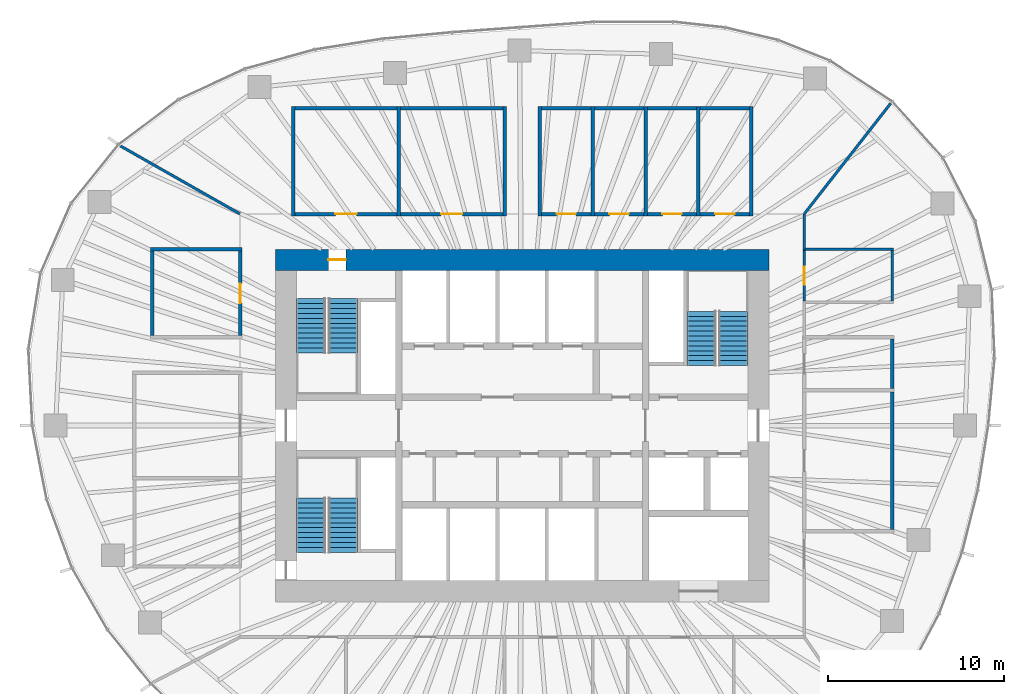
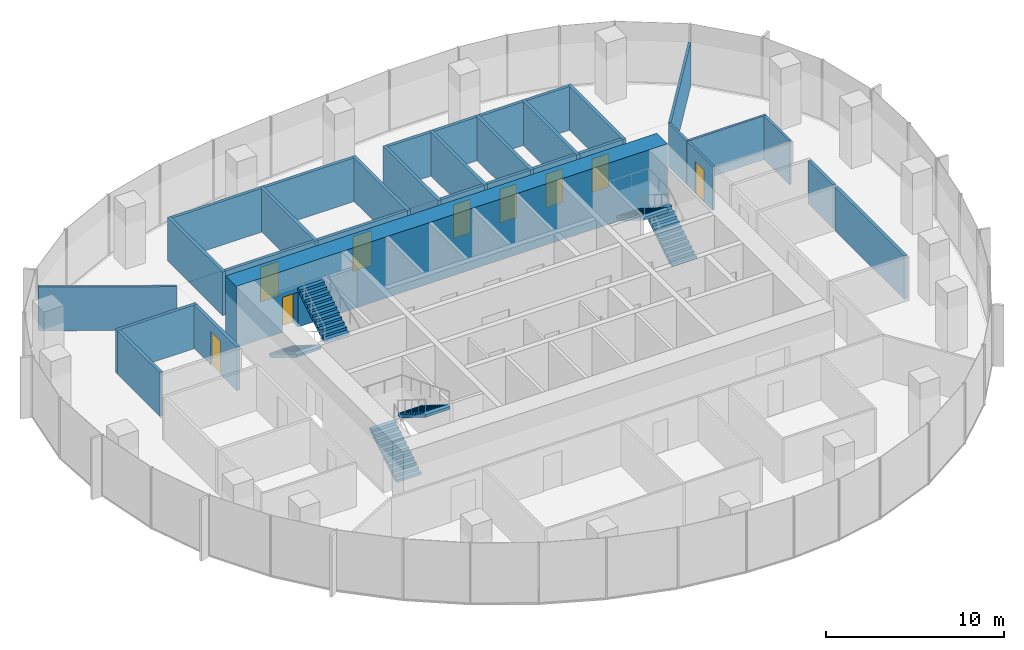
# One storey, part 10 of 11: 32 walls, 9 doors, 6 stair flights, 9 openings, 3 elements without a shape of their own.
"""IFC4 building model written with IfcOpenShell, lengths in metres."""

from ifc_helpers import new_model, si_unit, direction, frame, frame_2d, origin, place, context, subcontext, project, spatial, polyline, rectangle, outline, extrude, material, layer, layer_set, type_object, element, fill, aggregate, save


model = new_model("IFC4")

# Units and contexts
model_context = context("Model", 3, precision=1e-05, world=origin(), true_north=direction((0.0, 1.0)))
body_context = subcontext(model_context, "Body", "Model", "MODEL_VIEW")
ifc_project = project(units=[si_unit("LENGTHUNIT", "METRE"), si_unit("AREAUNIT", "SQUARE_METRE"), si_unit("VOLUMEUNIT", "CUBIC_METRE"), si_unit("PLANEANGLEUNIT", "RADIAN"), si_unit("MASSUNIT", "GRAM", prefix="KILO")], contexts=[model_context])

# Site, building, storey
site_placement = place(None, origin())
site = spatial("IfcSite", under=ifc_project, at=site_placement, CompositionType="ELEMENT")
building_placement = place(site_placement, origin())
building = spatial("IfcBuilding", under=site, at=building_placement, Name="Ghaith Harvest Tower", CompositionType="ELEMENT")
storey_placement = place(building_placement, frame((0.0, 0.0, 220.0)))
storey = spatial("IfcBuildingStorey", under=building, at=storey_placement, Name="L48", CompositionType="ELEMENT", Elevation=220.0)

# Walls
ifc_material_1 = material(Name="Twin-stud gypsum board, acoustic", Category="gypsum")
ifc_layer_1 = layer(ifc_material_1, 0.199951171875)
ifc_layer_set_1 = layer_set([ifc_layer_1], Name="ACOUSTIC PARTITION 200")
wall_type_1 = type_object("IfcWallType", Name="ACOUSTIC PARTITION 200", PredefinedType="PARTITIONING", material=ifc_layer_set_1)
for number, where, z_axis, x_axis, name in (
    (1, (-13.0, 11.89990234375, 0.0), (0.0, 0.0, 1.0), (0.0, 1.0, 0.0), "Partition L48 row N1 cross wall 1"),
    (2, (-7.0, 11.89990234375, 0.0), (0.0, 0.0, 1.0), (0.0, 1.0, 0.0), "Partition L48 row N1 cross wall 2"),
    (3, (-1.0, 11.89990234375, 0.0), (0.0, 0.0, 1.0), (0.0, 1.0, 0.0), "Partition L48 row N1 cross wall 3"),
):
    element("IfcWall", number, at=place(storey_placement, frame(where, z_axis=z_axis, x_axis=x_axis)), inside=storey, type_object=wall_type_1, Name=name, PredefinedType="PARTITIONING", context=body_context, shape_type="SweptSolid", body=[
        extrude(rectangle(XDim=6.2001953125, YDim=0.199951171875, at=frame_2d((3.10009765625, 0.0))), origin(), (0.0, 0.0, 1.0), 3.0),
    ])

# Wall, opening, door
wall_1_placement = place(storey_placement, frame((-12.89990234375, 12.0, 0.0), z_axis=(0.0, 0.0, 1.0), x_axis=(1.0, 0.0, 0.0)))
wall_1 = element("IfcWall", 4, at=wall_1_placement, inside=storey, type_object=wall_type_1, Name="Partition L48-01", PredefinedType="PARTITIONING", context=body_context, shape_type="SweptSolid", body=[
    extrude(rectangle(XDim=5.7998046875, YDim=0.199951171875, at=frame_2d((2.89990234375, 0.0))), origin(), (0.0, 0.0, 1.0), 3.0),
])
opening_1_placement = place(wall_1_placement, frame((2.300048828125, 0.0, 0.0)))
opening_1 = element("IfcOpeningElement", 5, at=opening_1_placement, cuts=wall_1, Name="Opening 48-022", PredefinedType="OPENING", context=body_context, shape_type="SweptSolid", body=[
    extrude(rectangle(XDim=1.199951171875, YDim=2.39990234375, at=frame_2d((0.60009765625, 1.199951171875))), frame((0.0, 0.10986328125, 0.0), z_axis=(0.0, -1.0, 0.0), x_axis=(1.0, 0.0, 0.0)), (0.0, 0.0, 1.0), 0.219970703125),
])
ifc_material_2 = material(Name="Timber door", Category="wood")
door_type_1 = type_object("IfcDoorType", Name="D11 GLAZED 1200x2400", OperationType="SINGLE_SWING_LEFT", PredefinedType="DOOR", material=ifc_material_2)
door_1_placement = place(opening_1_placement, origin())
door_1 = element("IfcDoor", 6, at=door_1_placement, inside=storey, type_object=door_type_1, Name="Meeting room door", OperationType="SINGLE_SWING_LEFT", OverallHeight=2.39990234375, OverallWidth=1.199951171875, PredefinedType="DOOR", context=body_context, shape_type="SweptSolid", body=[
    extrude(rectangle(XDim=1.199951171875, YDim=2.39990234375, at=frame_2d((0.60009765625, 1.199951171875))), frame((0.0, 0.02490234375, 0.0), z_axis=(0.0, -1.0, 0.0), x_axis=(1.0, 0.0, 0.0)), (0.0, 0.0, 1.0), 0.050048828125),
])
fill(opening_1, door_1)

# Wall
wall_2_placement = place(storey_placement, frame((-12.89990234375, 18.0, 0.0), z_axis=(0.0, 0.0, 1.0), x_axis=(1.0, 0.0, 0.0)))
element("IfcWall", 7, at=wall_2_placement, inside=storey, type_object=wall_type_1, Name="Partition L48-01", PredefinedType="PARTITIONING", context=body_context, shape_type="SweptSolid", body=[
    extrude(rectangle(XDim=5.7998046875, YDim=0.199951171875, at=frame_2d((2.89990234375, 0.0))), origin(), (0.0, 0.0, 1.0), 3.0),
])

# Wall, opening, door
wall_3_placement = place(storey_placement, frame((-6.89990234375, 12.0, 0.0), z_axis=(0.0, 0.0, 1.0), x_axis=(1.0, 0.0, 0.0)))
wall_3 = element("IfcWall", 8, at=wall_3_placement, inside=storey, type_object=wall_type_1, Name="Partition L48-02", PredefinedType="PARTITIONING", context=body_context, shape_type="SweptSolid", body=[
    extrude(rectangle(XDim=5.7998046875, YDim=0.199951171875, at=frame_2d((2.89990234375, 0.0))), origin(), (0.0, 0.0, 1.0), 3.0),
])
opening_2_placement = place(wall_3_placement, frame((2.300048828125, 0.0, 0.0)))
opening_2 = element("IfcOpeningElement", 9, at=opening_2_placement, cuts=wall_3, Name="Opening 48-023", PredefinedType="OPENING", context=body_context, shape_type="SweptSolid", body=[
    extrude(rectangle(XDim=1.199951171875, YDim=2.39990234375, at=frame_2d((0.60009765625, 1.199951171875))), frame((0.0, 0.10986328125, 0.0), z_axis=(0.0, -1.0, 0.0), x_axis=(1.0, 0.0, 0.0)), (0.0, 0.0, 1.0), 0.219970703125),
])
door_2_placement = place(opening_2_placement, origin())
door_2 = element("IfcDoor", 10, at=door_2_placement, inside=storey, type_object=door_type_1, Name="Meeting room door", OperationType="SINGLE_SWING_LEFT", OverallHeight=2.39990234375, OverallWidth=1.199951171875, PredefinedType="DOOR", context=body_context, shape_type="SweptSolid", body=[
    extrude(rectangle(XDim=1.199951171875, YDim=2.39990234375, at=frame_2d((0.60009765625, 1.199951171875))), frame((0.0, 0.02490234375, 0.0), z_axis=(0.0, -1.0, 0.0), x_axis=(1.0, 0.0, 0.0)), (0.0, 0.0, 1.0), 0.050048828125),
])
fill(opening_2, door_2)

# Walls
wall_4_placement = place(storey_placement, frame((-6.89990234375, 18.0, 0.0), z_axis=(0.0, 0.0, 1.0), x_axis=(1.0, 0.0, 0.0)))
element("IfcWall", 11, at=wall_4_placement, inside=storey, type_object=wall_type_1, Name="Partition L48-02", PredefinedType="PARTITIONING", context=body_context, shape_type="SweptSolid", body=[
    extrude(rectangle(XDim=5.7998046875, YDim=0.199951171875, at=frame_2d((2.89990234375, 0.0))), origin(), (0.0, 0.0, 1.0), 3.0),
])
for number, where, z_axis, x_axis, name in (
    (12, (1.0, 11.89990234375, 0.0), (0.0, 0.0, 1.0), (0.0, 1.0, 0.0), "Partition L48 row N2 cross wall 1"),
    (13, (4.0, 11.89990234375, 0.0), (0.0, 0.0, 1.0), (0.0, 1.0, 0.0), "Partition L48 row N2 cross wall 2"),
    (14, (7.0, 11.89990234375, 0.0), (0.0, 0.0, 1.0), (0.0, 1.0, 0.0), "Partition L48 row N2 cross wall 3"),
    (15, (10.0, 11.89990234375, 0.0), (0.0, 0.0, 1.0), (0.0, 1.0, 0.0), "Partition L48 row N2 cross wall 4"),
    (16, (13.0, 11.89990234375, 0.0), (0.0, 0.0, 1.0), (0.0, 1.0, 0.0), "Partition L48 row N2 cross wall 5"),
):
    element("IfcWall", number, at=place(storey_placement, frame(where, z_axis=z_axis, x_axis=x_axis)), inside=storey, type_object=wall_type_1, Name=name, PredefinedType="PARTITIONING", context=body_context, shape_type="SweptSolid", body=[
        extrude(rectangle(XDim=6.2001953125, YDim=0.199951171875, at=frame_2d((3.10009765625, 0.0))), origin(), (0.0, 0.0, 1.0), 3.0),
    ])

# Wall, opening, door
wall_5_placement = place(storey_placement, frame((1.10009765625, 12.0, 0.0), z_axis=(0.0, 0.0, 1.0), x_axis=(1.0, 0.0, 0.0)))
wall_5 = element("IfcWall", 17, at=wall_5_placement, inside=storey, type_object=wall_type_1, Name="Partition L48-03", PredefinedType="PARTITIONING", context=body_context, shape_type="SweptSolid", body=[
    extrude(rectangle(XDim=2.7998046875, YDim=0.199951171875, at=frame_2d((1.39990234375, 0.0))), origin(), (0.0, 0.0, 1.0), 3.0),
])
opening_3_placement = place(wall_5_placement, frame((0.85009765625, 0.0, 0.0)))
opening_3 = element("IfcOpeningElement", 18, at=opening_3_placement, cuts=wall_5, Name="Opening 48-024", PredefinedType="OPENING", context=body_context, shape_type="SweptSolid", body=[
    extrude(rectangle(XDim=1.10009765625, YDim=2.300048828125, at=frame_2d((0.550048828125, 1.14990234375))), frame((0.0, 0.10986328125, 0.0), z_axis=(0.0, -1.0, 0.0), x_axis=(1.0, 0.0, 0.0)), (0.0, 0.0, 1.0), 0.219970703125),
])
ifc_material_3 = material(Name="Timber-framed glazed door", Category="wood")
door_type_2 = type_object("IfcDoorType", Name="D12 GLAZED OFFICE 1100x2300", OperationType="SINGLE_SWING_LEFT", PredefinedType="DOOR", material=ifc_material_3)
door_3_placement = place(opening_3_placement, origin())
door_3 = element("IfcDoor", 19, at=door_3_placement, inside=storey, type_object=door_type_2, Name="Focus room door", OperationType="SINGLE_SWING_LEFT", OverallHeight=2.300048828125, OverallWidth=1.10009765625, PredefinedType="DOOR", context=body_context, shape_type="SweptSolid", body=[
    extrude(rectangle(XDim=1.10009765625, YDim=2.300048828125, at=frame_2d((0.550048828125, 1.14990234375))), frame((0.0, 0.02490234375, 0.0), z_axis=(0.0, -1.0, 0.0), x_axis=(1.0, 0.0, 0.0)), (0.0, 0.0, 1.0), 0.050048828125),
])
fill(opening_3, door_3)

# Wall
wall_6_placement = place(storey_placement, frame((1.10009765625, 18.0, 0.0), z_axis=(0.0, 0.0, 1.0), x_axis=(1.0, 0.0, 0.0)))
element("IfcWall", 20, at=wall_6_placement, inside=storey, type_object=wall_type_1, Name="Partition L48-03", PredefinedType="PARTITIONING", context=body_context, shape_type="SweptSolid", body=[
    extrude(rectangle(XDim=2.7998046875, YDim=0.199951171875, at=frame_2d((1.39990234375, 0.0))), origin(), (0.0, 0.0, 1.0), 3.0),
])

# Wall, opening, door
wall_7_placement = place(storey_placement, frame((4.10009765625, 12.0, 0.0), z_axis=(0.0, 0.0, 1.0), x_axis=(1.0, 0.0, 0.0)))
wall_7 = element("IfcWall", 21, at=wall_7_placement, inside=storey, type_object=wall_type_1, Name="Partition L48-04", PredefinedType="PARTITIONING", context=body_context, shape_type="SweptSolid", body=[
    extrude(rectangle(XDim=2.7998046875, YDim=0.199951171875, at=frame_2d((1.39990234375, 0.0))), origin(), (0.0, 0.0, 1.0), 3.0),
])
opening_4_placement = place(wall_7_placement, frame((0.85009765625, 0.0, 0.0)))
opening_4 = element("IfcOpeningElement", 22, at=opening_4_placement, cuts=wall_7, Name="Opening 48-025", PredefinedType="OPENING", context=body_context, shape_type="SweptSolid", body=[
    extrude(rectangle(XDim=1.10009765625, YDim=2.300048828125, at=frame_2d((0.550048828125, 1.14990234375))), frame((0.0, 0.10986328125, 0.0), z_axis=(0.0, -1.0, 0.0), x_axis=(1.0, 0.0, 0.0)), (0.0, 0.0, 1.0), 0.219970703125),
])
door_4_placement = place(opening_4_placement, origin())
door_4 = element("IfcDoor", 23, at=door_4_placement, inside=storey, type_object=door_type_2, Name="Focus room door", OperationType="SINGLE_SWING_LEFT", OverallHeight=2.300048828125, OverallWidth=1.10009765625, PredefinedType="DOOR", context=body_context, shape_type="SweptSolid", body=[
    extrude(rectangle(XDim=1.10009765625, YDim=2.300048828125, at=frame_2d((0.550048828125, 1.14990234375))), frame((0.0, 0.02490234375, 0.0), z_axis=(0.0, -1.0, 0.0), x_axis=(1.0, 0.0, 0.0)), (0.0, 0.0, 1.0), 0.050048828125),
])
fill(opening_4, door_4)

# Wall
wall_8_placement = place(storey_placement, frame((4.10009765625, 18.0, 0.0), z_axis=(0.0, 0.0, 1.0), x_axis=(1.0, 0.0, 0.0)))
element("IfcWall", 24, at=wall_8_placement, inside=storey, type_object=wall_type_1, Name="Partition L48-04", PredefinedType="PARTITIONING", context=body_context, shape_type="SweptSolid", body=[
    extrude(rectangle(XDim=2.7998046875, YDim=0.199951171875, at=frame_2d((1.39990234375, 0.0))), origin(), (0.0, 0.0, 1.0), 3.0),
])

# Wall, opening, door
wall_9_placement = place(storey_placement, frame((7.10009765625, 12.0, 0.0), z_axis=(0.0, 0.0, 1.0), x_axis=(1.0, 0.0, 0.0)))
wall_9 = element("IfcWall", 25, at=wall_9_placement, inside=storey, type_object=wall_type_1, Name="Partition L48-05", PredefinedType="PARTITIONING", context=body_context, shape_type="SweptSolid", body=[
    extrude(rectangle(XDim=2.7998046875, YDim=0.199951171875, at=frame_2d((1.39990234375, 0.0))), origin(), (0.0, 0.0, 1.0), 3.0),
])
opening_5_placement = place(wall_9_placement, frame((0.85009765625, 0.0, 0.0)))
opening_5 = element("IfcOpeningElement", 26, at=opening_5_placement, cuts=wall_9, Name="Opening 48-026", PredefinedType="OPENING", context=body_context, shape_type="SweptSolid", body=[
    extrude(rectangle(XDim=1.10009765625, YDim=2.300048828125, at=frame_2d((0.550048828125, 1.14990234375))), frame((0.0, 0.10986328125, 0.0), z_axis=(0.0, -1.0, 0.0), x_axis=(1.0, 0.0, 0.0)), (0.0, 0.0, 1.0), 0.219970703125),
])
door_5_placement = place(opening_5_placement, origin())
door_5 = element("IfcDoor", 27, at=door_5_placement, inside=storey, type_object=door_type_2, Name="Focus room door", OperationType="SINGLE_SWING_LEFT", OverallHeight=2.300048828125, OverallWidth=1.10009765625, PredefinedType="DOOR", context=body_context, shape_type="SweptSolid", body=[
    extrude(rectangle(XDim=1.10009765625, YDim=2.300048828125, at=frame_2d((0.550048828125, 1.14990234375))), frame((0.0, 0.02490234375, 0.0), z_axis=(0.0, -1.0, 0.0), x_axis=(1.0, 0.0, 0.0)), (0.0, 0.0, 1.0), 0.050048828125),
])
fill(opening_5, door_5)

# Wall
wall_10_placement = place(storey_placement, frame((7.10009765625, 18.0, 0.0), z_axis=(0.0, 0.0, 1.0), x_axis=(1.0, 0.0, 0.0)))
element("IfcWall", 28, at=wall_10_placement, inside=storey, type_object=wall_type_1, Name="Partition L48-05", PredefinedType="PARTITIONING", context=body_context, shape_type="SweptSolid", body=[
    extrude(rectangle(XDim=2.7998046875, YDim=0.199951171875, at=frame_2d((1.39990234375, 0.0))), origin(), (0.0, 0.0, 1.0), 3.0),
])

# Wall, opening, door
wall_11_placement = place(storey_placement, frame((10.10009765625, 12.0, 0.0), z_axis=(0.0, 0.0, 1.0), x_axis=(1.0, 0.0, 0.0)))
wall_11 = element("IfcWall", 29, at=wall_11_placement, inside=storey, type_object=wall_type_1, Name="Partition L48-06", PredefinedType="PARTITIONING", context=body_context, shape_type="SweptSolid", body=[
    extrude(rectangle(XDim=2.7998046875, YDim=0.199951171875, at=frame_2d((1.39990234375, 0.0))), origin(), (0.0, 0.0, 1.0), 3.0),
])
opening_6_placement = place(wall_11_placement, frame((0.85009765625, 0.0, 0.0)))
opening_6 = element("IfcOpeningElement", 30, at=opening_6_placement, cuts=wall_11, Name="Opening 48-027", PredefinedType="OPENING", context=body_context, shape_type="SweptSolid", body=[
    extrude(rectangle(XDim=1.10009765625, YDim=2.300048828125, at=frame_2d((0.550048828125, 1.14990234375))), frame((0.0, 0.10986328125, 0.0), z_axis=(0.0, -1.0, 0.0), x_axis=(1.0, 0.0, 0.0)), (0.0, 0.0, 1.0), 0.219970703125),
])
door_6_placement = place(opening_6_placement, origin())
door_6 = element("IfcDoor", 31, at=door_6_placement, inside=storey, type_object=door_type_2, Name="Focus room door", OperationType="SINGLE_SWING_LEFT", OverallHeight=2.300048828125, OverallWidth=1.10009765625, PredefinedType="DOOR", context=body_context, shape_type="SweptSolid", body=[
    extrude(rectangle(XDim=1.10009765625, YDim=2.300048828125, at=frame_2d((0.550048828125, 1.14990234375))), frame((0.0, 0.02490234375, 0.0), z_axis=(0.0, -1.0, 0.0), x_axis=(1.0, 0.0, 0.0)), (0.0, 0.0, 1.0), 0.050048828125),
])
fill(opening_6, door_6)

# Walls
wall_12_placement = place(storey_placement, frame((10.10009765625, 18.0, 0.0), z_axis=(0.0, 0.0, 1.0), x_axis=(1.0, 0.0, 0.0)))
element("IfcWall", 32, at=wall_12_placement, inside=storey, type_object=wall_type_1, Name="Partition L48-06", PredefinedType="PARTITIONING", context=body_context, shape_type="SweptSolid", body=[
    extrude(rectangle(XDim=2.7998046875, YDim=0.199951171875, at=frame_2d((1.39990234375, 0.0))), origin(), (0.0, 0.0, 1.0), 3.0),
])
wall_13_placement = place(storey_placement, frame((21.0, -5.89990234375, 0.0), z_axis=(0.0, 0.0, 1.0), x_axis=(0.0, 1.0, 0.0)))
element("IfcWall", 33, at=wall_13_placement, inside=storey, type_object=wall_type_1, Name="Partition L48-10", PredefinedType="PARTITIONING", context=body_context, shape_type="SweptSolid", body=[
    extrude(rectangle(XDim=7.7998046875, YDim=0.199951171875, at=frame_2d((3.89990234375, 0.0))), origin(), (0.0, 0.0, 1.0), 3.0),
])
wall_14_placement = place(storey_placement, frame((21.0, 2.10009765625, 0.0), z_axis=(0.0, 0.0, 1.0), x_axis=(0.0, 1.0, 0.0)))
element("IfcWall", 34, at=wall_14_placement, inside=storey, type_object=wall_type_1, Name="Partition L48-11", PredefinedType="PARTITIONING", context=body_context, shape_type="SweptSolid", body=[
    extrude(rectangle(XDim=2.7998046875, YDim=0.199951171875, at=frame_2d((1.39990234375, 0.0))), origin(), (0.0, 0.0, 1.0), 3.0),
])
wall_15_placement = place(storey_placement, frame((-15.89990234375, 10.0, 0.0), z_axis=(0.0, 0.0, 1.0), x_axis=(-1.0, 0.0, 0.0)))
element("IfcWall", 35, at=wall_15_placement, inside=storey, type_object=wall_type_1, Name="Partition L48 row W8 cross wall 2", PredefinedType="PARTITIONING", context=body_context, shape_type="SweptSolid", body=[
    extrude(rectangle(XDim=5.2001953125, YDim=0.199951171875, at=frame_2d((2.60009765625, 0.0))), origin(), (0.0, 0.0, 1.0), 3.0),
])

# Wall, opening, door
wall_16_placement = place(storey_placement, frame((-16.0, 5.10009765625, 0.0), z_axis=(0.0, 0.0, 1.0), x_axis=(0.0, 1.0, 0.0)))
wall_16 = element("IfcWall", 36, at=wall_16_placement, inside=storey, type_object=wall_type_1, Name="Partition L48-15", PredefinedType="PARTITIONING", context=body_context, shape_type="SweptSolid", body=[
    extrude(rectangle(XDim=4.7998046875, YDim=0.199951171875, at=frame_2d((2.39990234375, 0.0))), origin(), (0.0, 0.0, 1.0), 3.0),
])
opening_7_placement = place(wall_16_placement, frame((1.85009765625, 0.0, 0.0)))
opening_7 = element("IfcOpeningElement", 37, at=opening_7_placement, cuts=wall_16, Name="Opening 48-036", PredefinedType="OPENING", context=body_context, shape_type="SweptSolid", body=[
    extrude(rectangle(XDim=1.10009765625, YDim=2.300048828125, at=frame_2d((0.550048828125, 1.14990234375))), frame((0.0, 0.10986328125, 0.0), z_axis=(0.0, -1.0, 0.0), x_axis=(1.0, 0.0, 0.0)), (0.0, 0.0, 1.0), 0.219970703125),
])
door_7_placement = place(opening_7_placement, origin())
door_7 = element("IfcDoor", 38, at=door_7_placement, inside=storey, type_object=door_type_2, Name="Focus room door", OperationType="SINGLE_SWING_LEFT", OverallHeight=2.300048828125, OverallWidth=1.10009765625, PredefinedType="DOOR", context=body_context, shape_type="SweptSolid", body=[
    extrude(rectangle(XDim=1.10009765625, YDim=2.300048828125, at=frame_2d((0.550048828125, 1.14990234375))), frame((0.0, 0.02490234375, 0.0), z_axis=(0.0, -1.0, 0.0), x_axis=(1.0, 0.0, 0.0)), (0.0, 0.0, 1.0), 0.050048828125),
])
fill(opening_7, door_7)

# Wall
wall_17_placement = place(storey_placement, frame((-21.0, 5.10009765625, 0.0), z_axis=(0.0, 0.0, 1.0), x_axis=(0.0, 1.0, 0.0)))
element("IfcWall", 39, at=wall_17_placement, inside=storey, type_object=wall_type_1, Name="Partition L48-15", PredefinedType="PARTITIONING", context=body_context, shape_type="SweptSolid", body=[
    extrude(rectangle(XDim=4.7998046875, YDim=0.199951171875, at=frame_2d((2.39990234375, 0.0))), origin(), (0.0, 0.0, 1.0), 3.0),
])

# Wall, opening, door
ifc_material_4 = material(Name="Concrete C60/75", Category="concrete")
ifc_layer_2 = layer(ifc_material_4, 1.199951171875)
ifc_layer_set_2 = layer_set([ifc_layer_2], Name="CORE WALL CW1200 C60")
wall_type_2 = type_object("IfcWallType", Name="CORE WALL CW1200 C60", PredefinedType="SHEAR", material=ifc_layer_set_2)
wall_18_placement = place(storey_placement, frame((14.0, 9.39990234375, 0.0), z_axis=(0.0, 0.0, 1.0), x_axis=(-1.0, 0.0, 0.0)))
wall_18 = element("IfcWall", 40, at=wall_18_placement, inside=storey, type_object=wall_type_2, Name="Core wall N L48", PredefinedType="SHEAR", context=body_context, shape_type="SweptSolid", body=[
    extrude(rectangle(XDim=28.0, YDim=1.199951171875, at=frame_2d((14.0, 0.0))), origin(), (0.0, 0.0, 1.0), 4.199951171875),
])
opening_8_placement = place(wall_18_placement, frame((24.0, 0.0, 0.0)))
opening_8 = element("IfcOpeningElement", 41, at=opening_8_placement, cuts=wall_18, Name="Opening 48-005", PredefinedType="OPENING", context=body_context, shape_type="SweptSolid", body=[
    extrude(rectangle(XDim=1.0, YDim=2.39990234375, at=frame_2d((0.5, 1.199951171875))), frame((0.0, 0.60986328125, 0.0), z_axis=(0.0, -1.0, 0.0), x_axis=(1.0, 0.0, 0.0)), (0.0, 0.0, 1.0), 1.219970703125),
])
ifc_material_5 = material(Name="Steel fire door", Category="steel")
door_type_3 = type_object("IfcDoorType", Name="D3 FD90 1000x2400", OperationType="SINGLE_SWING_LEFT", PredefinedType="DOOR", material=ifc_material_5)
door_8_placement = place(opening_8_placement, origin())
door_8 = element("IfcDoor", 42, at=door_8_placement, inside=storey, type_object=door_type_3, Name="Stair ST1 door", OperationType="SINGLE_SWING_RIGHT", OverallHeight=2.39990234375, OverallWidth=1.0, PredefinedType="DOOR", context=body_context, shape_type="SweptSolid", body=[
    extrude(rectangle(XDim=1.0, YDim=2.39990234375, at=frame_2d((0.5, 1.199951171875))), frame((0.0, 0.02490234375, 0.0), z_axis=(0.0, -1.0, 0.0), x_axis=(1.0, 0.0, 0.0)), (0.0, 0.0, 1.0), 0.050048828125),
])
fill(opening_8, door_8)

# Wall
ifc_material_6 = material(Name="Gypsum board on steel studs", Category="steel")
ifc_layer_3 = layer(ifc_material_6, 0.14990234375)
ifc_layer_set_3 = layer_set([ifc_layer_3], Name="PARTITION 150")
wall_type_3 = type_object("IfcWallType", Name="PARTITION 150", PredefinedType="PARTITIONING", material=ifc_layer_set_3)
wall_19_placement = place(storey_placement, frame((15.925048828125, 10.0, 0.0), z_axis=(0.0, 0.0, 1.0), x_axis=(1.0, 0.0, 0.0)))
element("IfcWall", 43, at=wall_19_placement, inside=storey, type_object=wall_type_3, Name="Partition L48 row E7 cross wall 2", PredefinedType="PARTITIONING", context=body_context, shape_type="SweptSolid", body=[
    extrude(rectangle(XDim=5.14990234375, YDim=0.14990234375, at=frame_2d((2.574951171875, 0.0))), origin(), (0.0, 0.0, 1.0), 3.0),
])

# Wall, opening, door
wall_20_placement = place(storey_placement, frame((16.0, 7.074951171875, 0.0), z_axis=(0.0, 0.0, 1.0), x_axis=(0.0, 1.0, 0.0)))
wall_20 = element("IfcWall", 44, at=wall_20_placement, inside=storey, type_object=wall_type_3, Name="Partition L48-14", PredefinedType="PARTITIONING", context=body_context, shape_type="SweptSolid", body=[
    extrude(rectangle(XDim=2.85009765625, YDim=0.14990234375, at=frame_2d((1.425048828125, 0.0))), origin(), (0.0, 0.0, 1.0), 3.0),
])
opening_9_placement = place(wall_20_placement, frame((0.925048828125, 0.0, 0.0)))
opening_9 = element("IfcOpeningElement", 45, at=opening_9_placement, cuts=wall_20, Name="Opening 48-035", PredefinedType="OPENING", context=body_context, shape_type="SweptSolid", body=[
    extrude(rectangle(XDim=1.0, YDim=2.199951171875, at=frame_2d((0.5, 1.10009765625))), frame((0.0, 0.0849609375, 0.0), z_axis=(0.0, -1.0, 0.0), x_axis=(1.0, 0.0, 0.0)), (0.0, 0.0, 1.0), 0.169921875),
])
ifc_material_7 = material(Name="Timber door", Category="wood")
door_type_4 = type_object("IfcDoorType", Name="D1 SINGLE 1000x2200", OperationType="SINGLE_SWING_LEFT", PredefinedType="DOOR", material=ifc_material_7)
door_9_placement = place(opening_9_placement, origin())
door_9 = element("IfcDoor", 46, at=door_9_placement, inside=storey, type_object=door_type_4, Name="Store door", OperationType="SINGLE_SWING_LEFT", OverallHeight=2.199951171875, OverallWidth=1.0, PredefinedType="DOOR", context=body_context, shape_type="SweptSolid", body=[
    extrude(rectangle(XDim=1.0, YDim=2.199951171875, at=frame_2d((0.5, 1.10009765625))), frame((0.0, 0.02490234375, 0.0), z_axis=(0.0, -1.0, 0.0), x_axis=(1.0, 0.0, 0.0)), (0.0, 0.0, 1.0), 0.050048828125),
])
fill(opening_9, door_9)

# Walls
wall_21_placement = place(storey_placement, frame((21.0, 7.074951171875, 0.0), z_axis=(0.0, 0.0, 1.0), x_axis=(0.0, 1.0, 0.0)))
element("IfcWall", 47, at=wall_21_placement, inside=storey, type_object=wall_type_3, Name="Partition L48-14", PredefinedType="PARTITIONING", context=body_context, shape_type="SweptSolid", body=[
    extrude(rectangle(XDim=2.85009765625, YDim=0.14990234375, at=frame_2d((1.425048828125, 0.0))), origin(), (0.0, 0.0, 1.0), 3.0),
])
wall_22_placement = place(storey_placement, frame((-16.017333984375, 12.010009765625, 0.0), z_axis=(0.0, 0.0, 1.0), x_axis=(-0.869357432803, 0.494183826151, 0.0)))
element("IfcWall", 48, at=wall_22_placement, inside=storey, type_object=wall_type_3, Name="Partition L48 zone division", PredefinedType="PARTITIONING", context=body_context, shape_type="SweptSolid", body=[
    extrude(rectangle(XDim=7.791259765625, YDim=0.14990234375, at=frame_2d((3.8955078125, 0.0))), origin(), (0.0, 0.0, 1.0), 3.0),
])
wall_23_placement = place(storey_placement, frame((16.01220703125, 12.015625, 0.0), z_axis=(0.0, 0.0, 1.0), x_axis=(0.616030058222, 0.787722646219, 0.0)))
element("IfcWall", 49, at=wall_23_placement, inside=storey, type_object=wall_type_3, Name="Partition L48 zone division", PredefinedType="PARTITIONING", context=body_context, shape_type="SweptSolid", body=[
    extrude(rectangle(XDim=7.95166015625, YDim=0.14990234375, at=frame_2d((3.975830078125, 0.0))), origin(), (0.0, 0.0, 1.0), 3.0),
])
wall_24_placement = place(storey_placement, frame((16.0, 10.0, 0.0), z_axis=(0.0, 0.0, 1.0), x_axis=(0.0, 1.0, 0.0)))
element("IfcWall", 50, at=wall_24_placement, inside=storey, type_object=wall_type_3, Name="Partition L48 zone enclosure", PredefinedType="PARTITIONING", context=body_context, shape_type="SweptSolid", body=[
    extrude(rectangle(XDim=2.0, YDim=0.14990234375, at=frame_2d((1.0, 0.0))), origin(), (0.0, 0.0, 1.0), 3.0),
])

# Stair, stair flights
ifc_material_8 = material(Name="Concrete C40/50, precast", Category="concrete")
stair_type = type_object("IfcStairType", Name="CORE STAIR 24R", PredefinedType="HALF_TURN_STAIR", material=ifc_material_8)
stair_1_placement = place(storey_placement, origin())
stair_1 = element("IfcStair", 51, at=stair_1_placement, inside=storey, type_object=stair_type, Name="Stair ST1 L48", PredefinedType="HALF_TURN_STAIR")
ifc_material_9 = material(Name="Concrete C40/50, precast", Category="concrete")
stair_flight_type = type_object("IfcStairFlightType", Name="CORE FLIGHT 12R 1600", PredefinedType="STRAIGHT", material=ifc_material_9)
stair_flight_1_placement = place(storey_placement, frame((-12.0, 7.199951171875, 0.0), z_axis=(0.0, 0.0, 1.0), x_axis=(0.0, -1.0, 0.0)))
stair_flight_1 = element("IfcStairFlight", 52, at=stair_flight_1_placement, type_object=stair_flight_type, Name="ST1 flight 1", NumberOfRisers=12, NumberOfTreads=11, PredefinedType="STRAIGHT", RiserHeight=0.175, TreadLength=0.28, context=body_context, shape_type="SweptSolid", body=[
    extrude(outline(polyline([(0.0, 0.0), (0.0, 0.175048828125), (0.280029296875, 0.175048828125), (0.280029296875, 0.35009765625), (0.56005859375, 0.35009765625), (0.56005859375, 0.52490234375), (0.840087890625, 0.52490234375), (0.840087890625, 0.699951171875), (1.1201171875, 0.699951171875), (1.1201171875, 0.875), (1.39990234375, 0.875), (1.39990234375, 1.050048828125), (1.679931640625, 1.050048828125), (1.679931640625, 1.22509765625), (1.9599609375, 1.22509765625), (1.9599609375, 1.39990234375), (2.239990234375, 1.39990234375), (2.239990234375, 1.574951171875), (2.52001953125, 1.574951171875), (2.52001953125, 1.75), (2.800048828125, 1.75), (2.800048828125, 1.925048828125), (3.080078125, 1.925048828125), (3.080078125, 2.10009765625), (3.080078125, 1.748291015625), (0.28271484375, 0.0), (0.0, 0.0)])), frame((0.0, 0.800048828125, 0.0), z_axis=(0.0, -1.0, 0.0), x_axis=(1.0, 0.0, 0.0)), (0.0, 0.0, 1.0), 1.60009765625),
])
stair_flight_2_placement = place(storey_placement, frame((-10.14990234375, 4.1201171875, 2.10009765625), z_axis=(0.0, 0.0, 1.0), x_axis=(0.0, 1.0, 0.0)))
stair_flight_2 = element("IfcStairFlight", 53, at=stair_flight_2_placement, type_object=stair_flight_type, Name="ST1 flight 2", NumberOfRisers=12, NumberOfTreads=11, PredefinedType="STRAIGHT", RiserHeight=0.175, TreadLength=0.28, context=body_context, shape_type="SweptSolid", body=[
    extrude(outline(polyline([(0.0, 0.0), (0.0, 0.175048828125), (0.280029296875, 0.175048828125), (0.280029296875, 0.35009765625), (0.56005859375, 0.35009765625), (0.56005859375, 0.52490234375), (0.840087890625, 0.52490234375), (0.840087890625, 0.699951171875), (1.1201171875, 0.699951171875), (1.1201171875, 0.875), (1.39990234375, 0.875), (1.39990234375, 1.050048828125), (1.679931640625, 1.050048828125), (1.679931640625, 1.22509765625), (1.9599609375, 1.22509765625), (1.9599609375, 1.39990234375), (2.239990234375, 1.39990234375), (2.239990234375, 1.574951171875), (2.52001953125, 1.574951171875), (2.52001953125, 1.75), (2.800048828125, 1.75), (2.800048828125, 1.925048828125), (3.080078125, 1.925048828125), (3.080078125, 2.10009765625), (3.080078125, 1.748291015625), (0.28271484375, 0.0), (0.0, 0.0)])), frame((0.0, 0.800048828125, 0.0), z_axis=(0.0, -1.0, 0.0), x_axis=(1.0, 0.0, 0.0)), (0.0, 0.0, 1.0), 1.60009765625),
])
aggregate(stair_1, [stair_flight_1, stair_flight_2])

stair_2_placement = place(storey_placement, origin())
stair_2 = element("IfcStair", 54, at=stair_2_placement, inside=storey, type_object=stair_type, Name="Stair ST3 L48", PredefinedType="HALF_TURN_STAIR")
stair_flight_3_placement = place(storey_placement, frame((-12.0, -7.199951171875, 0.0), z_axis=(0.0, 0.0, 1.0), x_axis=(0.0, 1.0, 0.0)))
stair_flight_3 = element("IfcStairFlight", 55, at=stair_flight_3_placement, type_object=stair_flight_type, Name="ST3 flight 1", NumberOfRisers=12, NumberOfTreads=11, PredefinedType="STRAIGHT", RiserHeight=0.175, TreadLength=0.28, context=body_context, shape_type="SweptSolid", body=[
    extrude(outline(polyline([(0.0, 0.0), (0.0, 0.175048828125), (0.280029296875, 0.175048828125), (0.280029296875, 0.35009765625), (0.56005859375, 0.35009765625), (0.56005859375, 0.52490234375), (0.840087890625, 0.52490234375), (0.840087890625, 0.699951171875), (1.1201171875, 0.699951171875), (1.1201171875, 0.875), (1.39990234375, 0.875), (1.39990234375, 1.050048828125), (1.679931640625, 1.050048828125), (1.679931640625, 1.22509765625), (1.9599609375, 1.22509765625), (1.9599609375, 1.39990234375), (2.239990234375, 1.39990234375), (2.239990234375, 1.574951171875), (2.52001953125, 1.574951171875), (2.52001953125, 1.75), (2.800048828125, 1.75), (2.800048828125, 1.925048828125), (3.080078125, 1.925048828125), (3.080078125, 2.10009765625), (3.080078125, 1.748291015625), (0.28271484375, 0.0), (0.0, 0.0)])), frame((0.0, 0.800048828125, 0.0), z_axis=(0.0, -1.0, 0.0), x_axis=(1.0, 0.0, 0.0)), (0.0, 0.0, 1.0), 1.60009765625),
])
stair_flight_4_placement = place(storey_placement, frame((-10.14990234375, -4.1201171875, 2.10009765625), z_axis=(0.0, 0.0, 1.0), x_axis=(0.0, -1.0, 0.0)))
stair_flight_4 = element("IfcStairFlight", 56, at=stair_flight_4_placement, type_object=stair_flight_type, Name="ST3 flight 2", NumberOfRisers=12, NumberOfTreads=11, PredefinedType="STRAIGHT", RiserHeight=0.175, TreadLength=0.28, context=body_context, shape_type="SweptSolid", body=[
    extrude(outline(polyline([(0.0, 0.0), (0.0, 0.175048828125), (0.280029296875, 0.175048828125), (0.280029296875, 0.35009765625), (0.56005859375, 0.35009765625), (0.56005859375, 0.52490234375), (0.840087890625, 0.52490234375), (0.840087890625, 0.699951171875), (1.1201171875, 0.699951171875), (1.1201171875, 0.875), (1.39990234375, 0.875), (1.39990234375, 1.050048828125), (1.679931640625, 1.050048828125), (1.679931640625, 1.22509765625), (1.9599609375, 1.22509765625), (1.9599609375, 1.39990234375), (2.239990234375, 1.39990234375), (2.239990234375, 1.574951171875), (2.52001953125, 1.574951171875), (2.52001953125, 1.75), (2.800048828125, 1.75), (2.800048828125, 1.925048828125), (3.080078125, 1.925048828125), (3.080078125, 2.10009765625), (3.080078125, 1.748291015625), (0.28271484375, 0.0), (0.0, 0.0)])), frame((0.0, 0.800048828125, 0.0), z_axis=(0.0, -1.0, 0.0), x_axis=(1.0, 0.0, 0.0)), (0.0, 0.0, 1.0), 1.60009765625),
])
aggregate(stair_2, [stair_flight_3, stair_flight_4])

stair_3_placement = place(storey_placement, origin())
stair_3 = element("IfcStair", 57, at=stair_3_placement, inside=storey, type_object=stair_type, Name="Stair ST2 L48", PredefinedType="HALF_TURN_STAIR")
stair_flight_5_placement = place(storey_placement, frame((12.0, 3.39990234375, 0.0), z_axis=(0.0, 0.0, 1.0), x_axis=(0.0, 1.0, 0.0)))
stair_flight_5 = element("IfcStairFlight", 58, at=stair_flight_5_placement, type_object=stair_flight_type, Name="ST2 flight 1", NumberOfRisers=12, NumberOfTreads=11, PredefinedType="STRAIGHT", RiserHeight=0.175, TreadLength=0.28, context=body_context, shape_type="SweptSolid", body=[
    extrude(outline(polyline([(0.0, 0.0), (0.0, 0.175048828125), (0.280029296875, 0.175048828125), (0.280029296875, 0.35009765625), (0.56005859375, 0.35009765625), (0.56005859375, 0.52490234375), (0.840087890625, 0.52490234375), (0.840087890625, 0.699951171875), (1.1201171875, 0.699951171875), (1.1201171875, 0.875), (1.39990234375, 0.875), (1.39990234375, 1.050048828125), (1.679931640625, 1.050048828125), (1.679931640625, 1.22509765625), (1.9599609375, 1.22509765625), (1.9599609375, 1.39990234375), (2.239990234375, 1.39990234375), (2.239990234375, 1.574951171875), (2.52001953125, 1.574951171875), (2.52001953125, 1.75), (2.800048828125, 1.75), (2.800048828125, 1.925048828125), (3.080078125, 1.925048828125), (3.080078125, 2.10009765625), (3.080078125, 1.748291015625), (0.28271484375, 0.0), (0.0, 0.0)])), frame((0.0, 0.800048828125, 0.0), z_axis=(0.0, -1.0, 0.0), x_axis=(1.0, 0.0, 0.0)), (0.0, 0.0, 1.0), 1.60009765625),
])
stair_flight_6_placement = place(storey_placement, frame((10.14990234375, 6.47998046875, 2.10009765625), z_axis=(0.0, 0.0, 1.0), x_axis=(0.0, -1.0, 0.0)))
stair_flight_6 = element("IfcStairFlight", 59, at=stair_flight_6_placement, type_object=stair_flight_type, Name="ST2 flight 2", NumberOfRisers=12, NumberOfTreads=11, PredefinedType="STRAIGHT", RiserHeight=0.175, TreadLength=0.28, context=body_context, shape_type="SweptSolid", body=[
    extrude(outline(polyline([(0.0, 0.0), (0.0, 0.175048828125), (0.280029296875, 0.175048828125), (0.280029296875, 0.35009765625), (0.56005859375, 0.35009765625), (0.56005859375, 0.52490234375), (0.840087890625, 0.52490234375), (0.840087890625, 0.699951171875), (1.1201171875, 0.699951171875), (1.1201171875, 0.875), (1.39990234375, 0.875), (1.39990234375, 1.050048828125), (1.679931640625, 1.050048828125), (1.679931640625, 1.22509765625), (1.9599609375, 1.22509765625), (1.9599609375, 1.39990234375), (2.239990234375, 1.39990234375), (2.239990234375, 1.574951171875), (2.52001953125, 1.574951171875), (2.52001953125, 1.75), (2.800048828125, 1.75), (2.800048828125, 1.925048828125), (3.080078125, 1.925048828125), (3.080078125, 2.10009765625), (3.080078125, 1.748291015625), (0.28271484375, 0.0), (0.0, 0.0)])), frame((0.0, 0.800048828125, 0.0), z_axis=(0.0, -1.0, 0.0), x_axis=(1.0, 0.0, 0.0)), (0.0, 0.0, 1.0), 1.60009765625),
])
aggregate(stair_3, [stair_flight_5, stair_flight_6])

save(model, "model.ifc")
